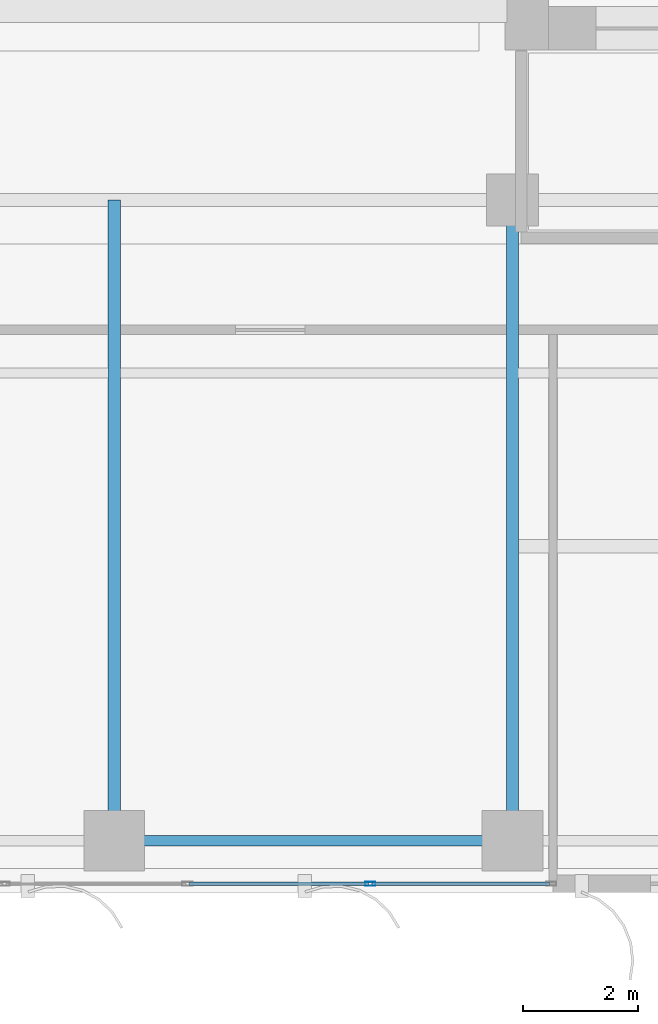
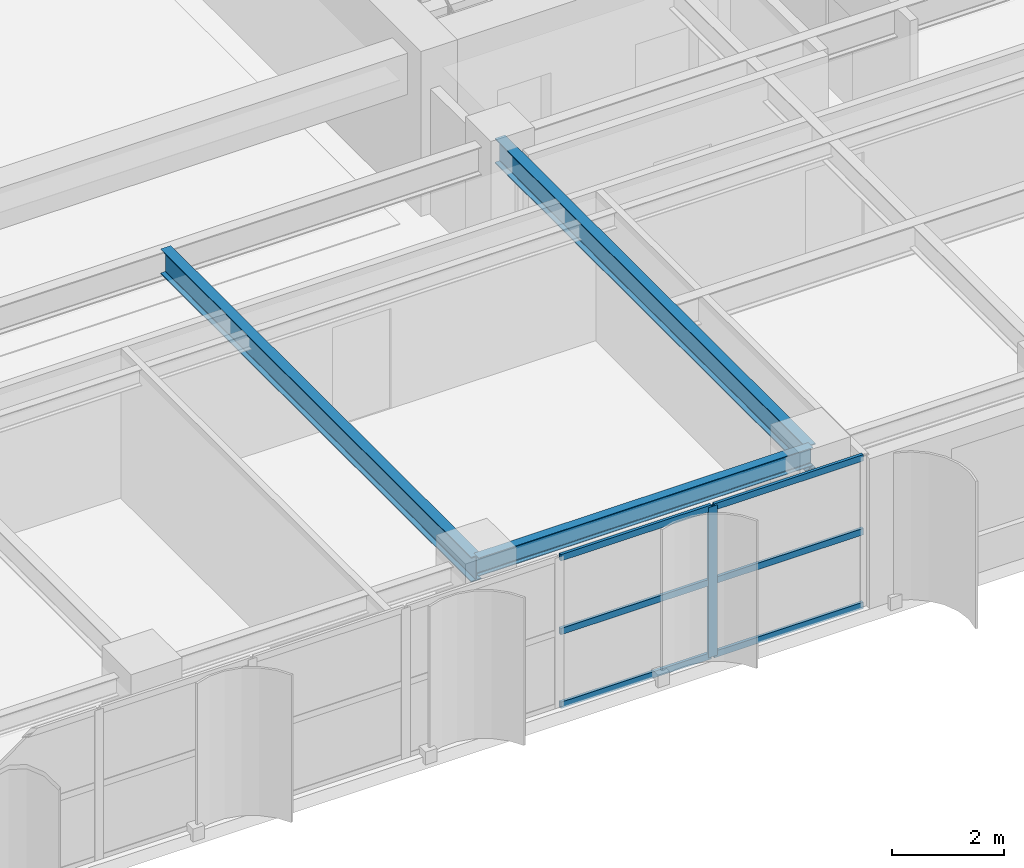
# One storey, part 5 of 28: 7 members, 3 beams, 1 element without a shape of its own.
"""IFC4 building model written with IfcOpenShell, lengths in metres."""

from ifc_helpers import new_model, si_unit, direction, frame, origin, origin_2d, place, context, subcontext, project, spatial, hollow_rectangle, i_section, extrude, source, transform, mapped, material, layer, layer_set, material_profile, profile_set, type_object, element, aggregate, save


model = new_model("IFC4")

# Units and contexts
model_context = context("Model", 3, precision=1e-05, world=origin(), true_north=direction((0.0, 1.0)))
body_context = subcontext(model_context, "Body", "Model", "MODEL_VIEW")
ifc_project = project(units=[si_unit("LENGTHUNIT", "METRE"), si_unit("AREAUNIT", "SQUARE_METRE"), si_unit("VOLUMEUNIT", "CUBIC_METRE"), si_unit("PLANEANGLEUNIT", "RADIAN"), si_unit("MASSUNIT", "GRAM", prefix="KILO")], contexts=[model_context])

# Site, building, storey
site_placement = place(None, origin())
site = spatial("IfcSite", under=ifc_project, at=site_placement, CompositionType="ELEMENT")
building_placement = place(site_placement, origin())
building = spatial("IfcBuilding", under=site, at=building_placement, Name="Khoralis Quay Care Tower", CompositionType="ELEMENT")
storey_placement = place(building_placement, frame((0.0, 0.0, 144.89990234375)))
storey = spatial("IfcBuildingStorey", under=building, at=storey_placement, Name="L38", CompositionType="ELEMENT", Elevation=144.89990234375)

# Beams
ifc_material_1 = material(Name="Steel S355", Category="steel")
ifc_material_profile_1 = material_profile(ifc_material_1, i_section(OverallWidth=0.179931640625, OverallDepth=0.39990234375, WebThickness=0.008544921875, FlangeThickness=0.013427734375, FilletRadius=0.02099609375, at=origin_2d()), Name="Steel S355")
ifc_profile_set_1 = profile_set([ifc_material_profile_1], Name="Steel S355")
beam_type_1 = type_object("IfcBeamType", Name="BM-IPE400", PredefinedType="SPANDREL", material=ifc_profile_set_1)
shared_shape_1 = source(origin(), body_context, "Body", "SweptSolid", [
    extrude(i_section(OverallWidth=0.179931640625, OverallDepth=0.39990234375, WebThickness=0.008544921875, FlangeThickness=0.013427734375, FilletRadius=0.02099609375, at=origin_2d()), origin(), (0.0, 0.0, 1.0), 6.89990234375),
])
beam_placement = place(storey_placement, frame((24.0, 0.89990234375, 3.080078125), z_axis=(1.0, 0.0, 0.0), x_axis=(0.0, 1.0, 0.0)))
element("IfcBeam", 1, at=beam_placement, inside=storey, type_object=beam_type_1, Name="BM-TSP-L38-04", PredefinedType="SPANDREL", context=body_context, shape_type="MappedRepresentation", body=[
    mapped(shared_shape_1, transform((0.0, 0.0, 0.0), scale=1.0)),
])
ifc_material_profile_2 = material_profile(ifc_material_1, i_section(OverallWidth=0.2119140625, OverallDepth=0.5439453125, WebThickness=0.01318359375, FlangeThickness=0.021240234375, FilletRadius=0.01611328125, at=origin_2d()), Name="Steel S355")
ifc_profile_set_2 = profile_set([ifc_material_profile_2], Name="Steel S355")
beam_type_2 = type_object("IfcBeamType", Name="BM-W530X123", PredefinedType="BEAM", material=ifc_profile_set_2)
shared_shape_2 = source(origin(), body_context, "Body", "SweptSolid", [
    extrude(i_section(OverallWidth=0.2119140625, OverallDepth=0.5439453125, WebThickness=0.01318359375, FlangeThickness=0.021240234375, FilletRadius=0.01611328125, at=origin_2d()), origin(), (0.0, 0.0, 1.0), 11.10009765625),
])
for number, where, z_axis, x_axis, name in (
    (2, (24.0, 0.89990234375, 3.008056640625), (0.0, 1.0, 0.0), (-1.0, 0.0, 0.0), "BM-TGYS-L38-240"),
    (3, (30.89990234375, 0.89990234375, 3.008056640625), (0.0, 1.0, 0.0), (-1.0, 0.0, 0.0), "BM-TGYS-L38-309"),
):
    element("IfcBeam", number, at=place(storey_placement, frame(where, z_axis=z_axis, x_axis=x_axis)), inside=storey, type_object=beam_type_2, Name=name, PredefinedType="BEAM", context=body_context, shape_type="MappedRepresentation", body=[
        mapped(shared_shape_2, transform((0.0, 0.0, 0.0), scale=1.0)),
    ])

# Curtain wall, members
ifc_material_2 = material(Name="Pale anodised aluminium", Category="aluminium")
ifc_layer = layer(ifc_material_2, 0.169921875)
ifc_layer_set = layer_set([ifc_layer], Name="Pale anodised aluminium")
curtain_wall_type = type_object("IfcCurtainWallType", Name="CW-SYS-Z2", PredefinedType="NOTDEFINED", material=ifc_layer_set)
curtain_wall_placement = place(storey_placement, origin())
curtain_wall = element("IfcCurtainWall", 4, at=curtain_wall_placement, inside=storey, type_object=curtain_wall_type, Name="L38 Unitised Curtain Wall CW-L38-P1-E0", PredefinedType="NOTDEFINED")
ifc_material_profile_3 = material_profile(ifc_material_2, hollow_rectangle(XDim=0.06494140625, YDim=0.179931640625, WallThickness=0.00390625, at=origin_2d()), Name="Pale anodised aluminium")
ifc_profile_set_3 = profile_set([ifc_material_profile_3], Name="Pale anodised aluminium")
member_type_1 = type_object("IfcMemberType", Name="CW-MUL-180", PredefinedType="MULLION", material=ifc_profile_set_3)
shared_shape_3 = source(origin(), body_context, "Body", "SweptSolid", [
    extrude(hollow_rectangle(XDim=0.06494140625, YDim=0.179931640625, WallThickness=0.00390625, at=origin_2d()), origin(), (0.0, 0.0, 1.0), 3.280029296875),
])
member_1_placement = place(storey_placement, frame((28.433349609375, 0.14990234375, 0.0), z_axis=(0.0, 0.0, 1.0), x_axis=(0.0, 1.0, 0.0)))
member_1 = element("IfcMember", 5, at=member_1_placement, type_object=member_type_1, Name="CW2 mullion 6", PredefinedType="MULLION", context=body_context, shape_type="MappedRepresentation", body=[
    mapped(shared_shape_3, transform((0.0, 0.0, 0.0), scale=1.0)),
])
ifc_material_profile_4 = material_profile(ifc_material_2, hollow_rectangle(XDim=0.06005859375, YDim=0.139892578125, WallThickness=0.00390625, at=origin_2d()), Name="Pale anodised aluminium")
ifc_profile_set_4 = profile_set([ifc_material_profile_4], Name="Pale anodised aluminium")
member_type_2 = type_object("IfcMemberType", Name="CW-TRN-140", PredefinedType="USERDEFINED", material=ifc_profile_set_4)
shared_shape_4 = source(origin(), body_context, "Body", "SweptSolid", [
    extrude(hollow_rectangle(XDim=0.06005859375, YDim=0.139892578125, WallThickness=0.00390625, at=origin_2d()), origin(), (0.0, 0.0, 1.0), 3.07666015625),
])
member_2_placement = place(storey_placement, frame((28.46337890625, 0.14990234375, 0.030029296875), z_axis=(1.0, 0.0, 0.0), x_axis=(0.0, 1.0, 0.0)))
member_2 = element("IfcMember", 6, at=member_2_placement, type_object=member_type_2, Name="CW2 transom 6.1", ObjectType="TRANSOM", PredefinedType="USERDEFINED", context=body_context, shape_type="MappedRepresentation", body=[
    mapped(shared_shape_4, transform((0.0, 0.0, 0.0), scale=1.0)),
])
member_3_placement = place(storey_placement, frame((28.46337890625, 0.14990234375, 1.64013671875), z_axis=(1.0, 0.0, 0.0), x_axis=(0.0, 1.0, 0.0)))
member_3 = element("IfcMember", 7, at=member_3_placement, type_object=member_type_2, Name="CW2 transom 6.2", ObjectType="TRANSOM", PredefinedType="USERDEFINED", context=body_context, shape_type="MappedRepresentation", body=[
    mapped(shared_shape_4, transform((0.0, 0.0, 0.0), scale=1.0)),
])
member_4_placement = place(storey_placement, frame((28.46337890625, 0.14990234375, 3.25), z_axis=(1.0, 0.0, 0.0), x_axis=(0.0, 1.0, 0.0)))
member_4 = element("IfcMember", 8, at=member_4_placement, type_object=member_type_2, Name="CW2 transom 6.3", ObjectType="TRANSOM", PredefinedType="USERDEFINED", context=body_context, shape_type="MappedRepresentation", body=[
    mapped(shared_shape_4, transform((0.0, 0.0, 0.0), scale=1.0)),
])
shared_shape_5 = source(origin(), body_context, "Body", "SweptSolid", [
    extrude(hollow_rectangle(XDim=0.06005859375, YDim=0.139892578125, WallThickness=0.00390625, at=origin_2d()), origin(), (0.0, 0.0, 1.0), 3.106689453125),
])
member_5_placement = place(storey_placement, frame((25.296630859375, 0.14990234375, 0.030029296875), z_axis=(1.0, 0.0, 0.0), x_axis=(0.0, 1.0, 0.0)))
member_5 = element("IfcMember", 9, at=member_5_placement, type_object=member_type_2, Name="CW2 transom 5.1", ObjectType="TRANSOM", PredefinedType="USERDEFINED", context=body_context, shape_type="MappedRepresentation", body=[
    mapped(shared_shape_5, transform((0.0, 0.0, 0.0), scale=1.0)),
])
member_6_placement = place(storey_placement, frame((25.296630859375, 0.14990234375, 1.64013671875), z_axis=(1.0, 0.0, 0.0), x_axis=(0.0, 1.0, 0.0)))
member_6 = element("IfcMember", 10, at=member_6_placement, type_object=member_type_2, Name="CW2 transom 5.2", ObjectType="TRANSOM", PredefinedType="USERDEFINED", context=body_context, shape_type="MappedRepresentation", body=[
    mapped(shared_shape_5, transform((0.0, 0.0, 0.0), scale=1.0)),
])
member_7_placement = place(storey_placement, frame((25.296630859375, 0.14990234375, 3.25), z_axis=(1.0, 0.0, 0.0), x_axis=(0.0, 1.0, 0.0)))
member_7 = element("IfcMember", 11, at=member_7_placement, type_object=member_type_2, Name="CW2 transom 5.3", ObjectType="TRANSOM", PredefinedType="USERDEFINED", context=body_context, shape_type="MappedRepresentation", body=[
    mapped(shared_shape_5, transform((0.0, 0.0, 0.0), scale=1.0)),
])
aggregate(curtain_wall, [member_1, member_5, member_6, member_7, member_2, member_3, member_4])

save(model, "model.ifc")
